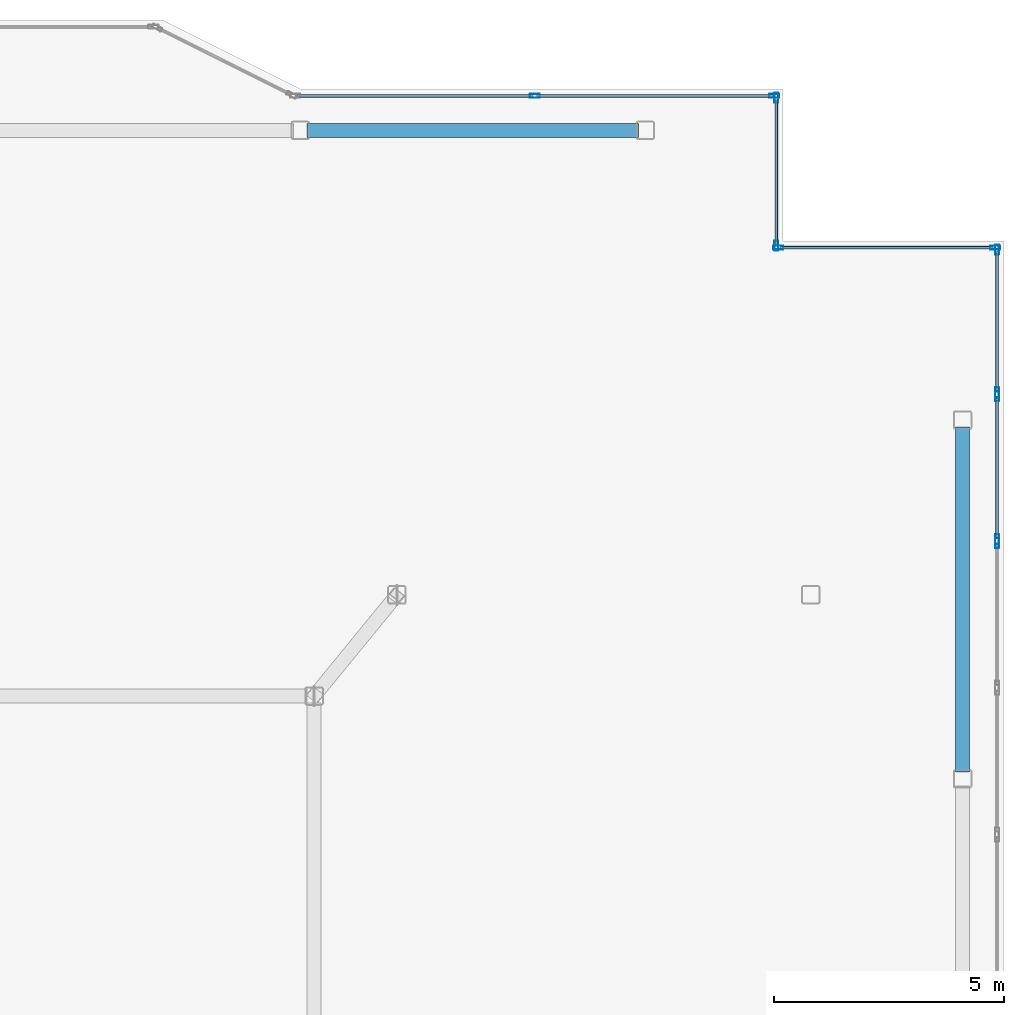
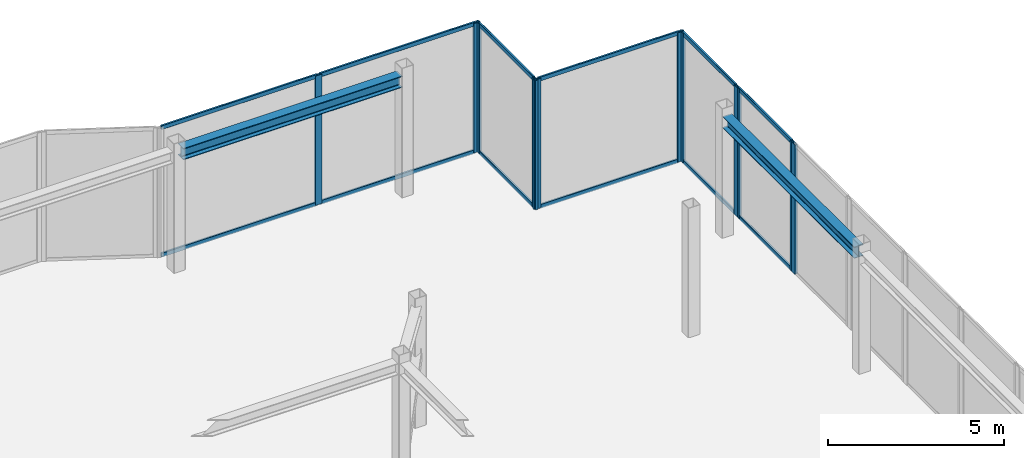
# One storey, part 12 of 16: 23 members, 2 beams, 6 elements without a shape of their own.
"""IFC4 building model written with IfcOpenShell, lengths in metres."""

from ifc_helpers import new_model, si_unit, direction, frame, origin, origin_2d, place, context, subcontext, project, spatial, hollow_rectangle, i_section, extrude, material, layer, layer_set, material_profile, profile_set, type_object, element, aggregate, save


model = new_model("IFC4")

# Units and contexts
model_context = context("Model", 3, precision=1e-05, world=origin(), true_north=direction((0.0, 1.0)))
body_context = subcontext(model_context, "Body", "Model", "MODEL_VIEW")
ifc_project = project(units=[si_unit("LENGTHUNIT", "METRE"), si_unit("AREAUNIT", "SQUARE_METRE"), si_unit("VOLUMEUNIT", "CUBIC_METRE"), si_unit("PLANEANGLEUNIT", "RADIAN"), si_unit("MASSUNIT", "GRAM", prefix="KILO")], contexts=[model_context])

# Site, building, storey
site_placement = place(None, origin())
site = spatial("IfcSite", under=ifc_project, at=site_placement, CompositionType="ELEMENT")
building_placement = place(site_placement, origin())
building = spatial("IfcBuilding", under=site, at=building_placement, Name="Tarnavaz Court Tower", CompositionType="ELEMENT")
storey_placement = place(building_placement, frame((0.0, 0.0, 290.550048828125)))
storey = spatial("IfcBuildingStorey", under=building, at=storey_placement, Name="C03", CompositionType="ELEMENT", Elevation=290.550048828125)

# Beams
ifc_material_1 = material(Name="Steel S355", Category="steel")
ifc_material_profile_1 = material_profile(ifc_material_1, i_section(OverallWidth=0.300048828125, OverallDepth=0.39990234375, WebThickness=0.013427734375, FlangeThickness=0.02392578125, FilletRadius=0.027099609375, at=origin_2d()), Name="HEB 400")
ifc_profile_set_1 = profile_set([ifc_material_profile_1], Name="Steel S355")
beam_type = type_object("IfcBeamType", Name="BM-G-HEB400", PredefinedType="USERDEFINED", material=ifc_profile_set_1)
beam_1_placement = place(storey_placement, frame((7.64990234375, 20.10009765625, 4.0), z_axis=(1.0, 0.0, 0.0), x_axis=(0.0, 1.0, 0.0)))
element("IfcBeam", 1, at=beam_1_placement, inside=storey, type_object=beam_type, Name="C03 Beam CRG-PN-3-PN-4", ObjectType="GIRDER", PredefinedType="USERDEFINED", context=body_context, shape_type="SweptSolid", body=[
    extrude(i_section(OverallWidth=0.300048828125, OverallDepth=0.39990234375, WebThickness=0.013427734375, FlangeThickness=0.02392578125, FilletRadius=0.027099609375, at=origin_2d()), origin(), (0.0, 0.0, 1.0), 7.2001953125),
])
beam_2_placement = place(storey_placement, frame((21.89990234375, 6.14990234375, 4.0), z_axis=(0.0, 1.0, 0.0), x_axis=(-1.0, 0.0, 0.0)))
element("IfcBeam", 2, at=beam_2_placement, inside=storey, type_object=beam_type, Name="C03 Beam CRG-PE-3-PE-4", ObjectType="GIRDER", PredefinedType="USERDEFINED", context=body_context, shape_type="SweptSolid", body=[
    extrude(i_section(OverallWidth=0.300048828125, OverallDepth=0.39990234375, WebThickness=0.013427734375, FlangeThickness=0.02392578125, FilletRadius=0.027099609375, at=origin_2d()), origin(), (0.0, 0.0, 1.0), 7.5),
])

# Curtain wall, members
ifc_material_2 = material(Name="Anodised Aluminium 6063-T6 and Solar Low-E Glazing", Category="aluminium")
ifc_layer = layer(ifc_material_2, 0.2099609375)
ifc_layer_set = layer_set([ifc_layer], Name="Anodised Aluminium 6063-T6 and Solar Low-E Glazing")
curtain_wall_type = type_object("IfcCurtainWallType", Name="CW-SYS-06", PredefinedType="NOTDEFINED", material=ifc_layer_set)
curtain_wall_1_placement = place(storey_placement, origin())
curtain_wall_1 = element("IfcCurtainWall", 3, at=curtain_wall_1_placement, inside=storey, type_object=curtain_wall_type, Name="C03 Slanted Crown Terracotta Curtain Wall 21", PredefinedType="NOTDEFINED")
ifc_material_3 = material(Name="Anodised Aluminium 6063-T6", Category="aluminium")
ifc_material_profile_2 = material_profile(ifc_material_3, hollow_rectangle(XDim=0.0849609375, YDim=0.219970703125, WallThickness=0.006103515625, InnerFilletRadius=0.006103515625, OuterFilletRadius=0.011962890625, at=origin_2d()), Name="ALU RHS 220X85X6")
ifc_profile_set_2 = profile_set([ifc_material_profile_2], Name="Anodised Aluminium 6063-T6")
member_type_1 = type_object("IfcMemberType", Name="CW-MUL-220", PredefinedType="MULLION", material=ifc_profile_set_2)
member_1_placement = place(storey_placement, frame((12.60009765625, 20.85009765625, 0.0), z_axis=(0.0, 0.0, 1.0), x_axis=(0.0, 1.0, 0.0)))
member_1 = element("IfcMember", 4, at=member_1_placement, type_object=member_type_1, Name="CW mullion 2", PredefinedType="MULLION", context=body_context, shape_type="SweptSolid", body=[
    extrude(hollow_rectangle(XDim=0.0849609375, YDim=0.219970703125, WallThickness=0.006103515625, InnerFilletRadius=0.006103515625, OuterFilletRadius=0.011962890625, at=origin_2d()), origin(), (0.0, 0.0, 1.0), 4.5),
])
member_2_placement = place(storey_placement, frame((17.8076171875, 20.85009765625, 0.0), z_axis=(0.0, 0.0, 1.0), x_axis=(0.0, 1.0, 0.0)))
member_2 = element("IfcMember", 5, at=member_2_placement, type_object=member_type_1, Name="CW mullion 3", PredefinedType="MULLION", context=body_context, shape_type="SweptSolid", body=[
    extrude(hollow_rectangle(XDim=0.0849609375, YDim=0.219970703125, WallThickness=0.006103515625, InnerFilletRadius=0.006103515625, OuterFilletRadius=0.011962890625, at=origin_2d()), origin(), (0.0, 0.0, 1.0), 4.5),
])

curtain_wall_2_placement = place(storey_placement, origin())
curtain_wall_2 = element("IfcCurtainWall", 6, at=curtain_wall_2_placement, inside=storey, type_object=curtain_wall_type, Name="C03 Slanted Crown Terracotta Curtain Wall 22", PredefinedType="NOTDEFINED")
member_3_placement = place(storey_placement, frame((17.85009765625, 20.8076171875, 0.0), z_axis=(0.0, 0.0, 1.0), x_axis=(1.0, 0.0, 0.0)))
member_3 = element("IfcMember", 7, at=member_3_placement, type_object=member_type_1, Name="CW mullion 1", PredefinedType="MULLION", context=body_context, shape_type="SweptSolid", body=[
    extrude(hollow_rectangle(XDim=0.0849609375, YDim=0.219970703125, WallThickness=0.006103515625, InnerFilletRadius=0.006103515625, OuterFilletRadius=0.011962890625, at=origin_2d()), origin(), (0.0, 0.0, 1.0), 4.5),
])
member_4_placement = place(storey_placement, frame((17.85009765625, 17.592529296875, 0.0), z_axis=(0.0, 0.0, 1.0), x_axis=(1.0, 0.0, 0.0)))
member_4 = element("IfcMember", 8, at=member_4_placement, type_object=member_type_1, Name="CW mullion 2", PredefinedType="MULLION", context=body_context, shape_type="SweptSolid", body=[
    extrude(hollow_rectangle(XDim=0.0849609375, YDim=0.219970703125, WallThickness=0.006103515625, InnerFilletRadius=0.006103515625, OuterFilletRadius=0.011962890625, at=origin_2d()), origin(), (0.0, 0.0, 1.0), 4.5),
])

curtain_wall_3_placement = place(storey_placement, origin())
curtain_wall_3 = element("IfcCurtainWall", 9, at=curtain_wall_3_placement, inside=storey, type_object=curtain_wall_type, Name="C03 Slanted Crown Terracotta Curtain Wall 23", PredefinedType="NOTDEFINED")
member_5_placement = place(storey_placement, frame((17.892578125, 17.550048828125, 0.0), z_axis=(0.0, 0.0, 1.0), x_axis=(0.0, 1.0, 0.0)))
member_5 = element("IfcMember", 10, at=member_5_placement, type_object=member_type_1, Name="CW mullion 1", PredefinedType="MULLION", context=body_context, shape_type="SweptSolid", body=[
    extrude(hollow_rectangle(XDim=0.0849609375, YDim=0.219970703125, WallThickness=0.006103515625, InnerFilletRadius=0.006103515625, OuterFilletRadius=0.011962890625, at=origin_2d()), origin(), (0.0, 0.0, 1.0), 4.5),
])
member_6_placement = place(storey_placement, frame((22.607421875, 17.550048828125, 0.0), z_axis=(0.0, 0.0, 1.0), x_axis=(0.0, 1.0, 0.0)))
member_6 = element("IfcMember", 11, at=member_6_placement, type_object=member_type_1, Name="CW mullion 2", PredefinedType="MULLION", context=body_context, shape_type="SweptSolid", body=[
    extrude(hollow_rectangle(XDim=0.0849609375, YDim=0.219970703125, WallThickness=0.006103515625, InnerFilletRadius=0.006103515625, OuterFilletRadius=0.011962890625, at=origin_2d()), origin(), (0.0, 0.0, 1.0), 4.5),
])

curtain_wall_4_placement = place(storey_placement, origin())
curtain_wall_4 = element("IfcCurtainWall", 12, at=curtain_wall_4_placement, inside=storey, type_object=curtain_wall_type, Name="C03 Slanted Crown Terracotta Curtain Wall 24", PredefinedType="NOTDEFINED")
member_7_placement = place(storey_placement, frame((22.64990234375, 17.507568359375, 0.0), z_axis=(0.0, 0.0, 1.0), x_axis=(1.0, 0.0, 0.0)))
member_7 = element("IfcMember", 13, at=member_7_placement, type_object=member_type_1, Name="CW mullion 1", PredefinedType="MULLION", context=body_context, shape_type="SweptSolid", body=[
    extrude(hollow_rectangle(XDim=0.0849609375, YDim=0.219970703125, WallThickness=0.006103515625, InnerFilletRadius=0.006103515625, OuterFilletRadius=0.011962890625, at=origin_2d()), origin(), (0.0, 0.0, 1.0), 4.5),
])
member_8_placement = place(storey_placement, frame((22.64990234375, 14.401611328125, 0.0), z_axis=(0.0, 0.0, 1.0), x_axis=(1.0, 0.0, 0.0)))
member_8 = element("IfcMember", 14, at=member_8_placement, type_object=member_type_1, Name="CW mullion 2", PredefinedType="MULLION", context=body_context, shape_type="SweptSolid", body=[
    extrude(hollow_rectangle(XDim=0.0849609375, YDim=0.219970703125, WallThickness=0.006103515625, InnerFilletRadius=0.006103515625, OuterFilletRadius=0.011962890625, at=origin_2d()), origin(), (0.0, 0.0, 1.0), 4.5),
])

curtain_wall_5_placement = place(storey_placement, origin())
curtain_wall_5 = element("IfcCurtainWall", 15, at=curtain_wall_5_placement, inside=storey, type_object=curtain_wall_type, Name="C03 Slanted Crown Terracotta Curtain Wall 25", PredefinedType="NOTDEFINED")
member_9_placement = place(storey_placement, frame((22.64990234375, 14.316650390625, 0.0), z_axis=(0.0, 0.0, 1.0), x_axis=(1.0, 0.0, 0.0)))
member_9 = element("IfcMember", 16, at=member_9_placement, type_object=member_type_1, Name="CW mullion 1", PredefinedType="MULLION", context=body_context, shape_type="SweptSolid", body=[
    extrude(hollow_rectangle(XDim=0.0849609375, YDim=0.219970703125, WallThickness=0.006103515625, InnerFilletRadius=0.006103515625, OuterFilletRadius=0.011962890625, at=origin_2d()), origin(), (0.0, 0.0, 1.0), 4.5),
])
member_10_placement = place(storey_placement, frame((22.64990234375, 11.210693359375, 0.0), z_axis=(0.0, 0.0, 1.0), x_axis=(1.0, 0.0, 0.0)))
member_10 = element("IfcMember", 17, at=member_10_placement, type_object=member_type_1, Name="CW mullion 2", PredefinedType="MULLION", context=body_context, shape_type="SweptSolid", body=[
    extrude(hollow_rectangle(XDim=0.0849609375, YDim=0.219970703125, WallThickness=0.006103515625, InnerFilletRadius=0.006103515625, OuterFilletRadius=0.011962890625, at=origin_2d()), origin(), (0.0, 0.0, 1.0), 4.5),
])

# Curtain wall, member
curtain_wall_6_placement = place(storey_placement, origin())
curtain_wall_6 = element("IfcCurtainWall", 18, at=curtain_wall_6_placement, inside=storey, type_object=curtain_wall_type, Name="C03 Slanted Crown Terracotta Curtain Wall 26", PredefinedType="NOTDEFINED")
member_11_placement = place(storey_placement, frame((22.64990234375, 11.125732421875, 0.0), z_axis=(0.0, 0.0, 1.0), x_axis=(1.0, 0.0, 0.0)))
member_11 = element("IfcMember", 19, at=member_11_placement, type_object=member_type_1, Name="CW mullion 1", PredefinedType="MULLION", context=body_context, shape_type="SweptSolid", body=[
    extrude(hollow_rectangle(XDim=0.0849609375, YDim=0.219970703125, WallThickness=0.006103515625, InnerFilletRadius=0.006103515625, OuterFilletRadius=0.011962890625, at=origin_2d()), origin(), (0.0, 0.0, 1.0), 4.5),
])
aggregate(curtain_wall_6, [member_11])

# Member
ifc_material_profile_3 = material_profile(ifc_material_3, hollow_rectangle(XDim=0.06494140625, YDim=0.139892578125, WallThickness=0.00390625, InnerFilletRadius=0.00390625, OuterFilletRadius=0.008056640625, at=origin_2d()), Name="ALU RHS 140X65X4")
ifc_profile_set_3 = profile_set([ifc_material_profile_3], Name="Anodised Aluminium 6063-T6")
member_type_2 = type_object("IfcMemberType", Name="CW-TRN-140", PredefinedType="USERDEFINED", material=ifc_profile_set_3)
member_12_placement = place(storey_placement, frame((7.43505859375, 20.85009765625, 0.032470703125), z_axis=(1.0, 0.0, 0.0), x_axis=(0.0, 1.0, 0.0)))
member_12 = element("IfcMember", 20, at=member_12_placement, type_object=member_type_2, Name="CW transom 1.1", ObjectType="TRANSOM", PredefinedType="USERDEFINED", context=body_context, shape_type="SweptSolid", body=[
    extrude(hollow_rectangle(XDim=0.06494140625, YDim=0.139892578125, WallThickness=0.00390625, InnerFilletRadius=0.00390625, OuterFilletRadius=0.008056640625, at=origin_2d()), origin(), (0.0, 0.0, 1.0), 5.12255859375),
])

member_13_placement = place(storey_placement, frame((7.43505859375, 20.85009765625, 4.467529296875), z_axis=(1.0, 0.0, 0.0), x_axis=(0.0, 1.0, 0.0)))
member_13 = element("IfcMember", 21, at=member_13_placement, type_object=member_type_2, Name="CW transom 1.2", ObjectType="TRANSOM", PredefinedType="USERDEFINED", context=body_context, shape_type="SweptSolid", body=[
    extrude(hollow_rectangle(XDim=0.06494140625, YDim=0.139892578125, WallThickness=0.00390625, InnerFilletRadius=0.00390625, OuterFilletRadius=0.008056640625, at=origin_2d()), origin(), (0.0, 0.0, 1.0), 5.12255859375),
])

member_14_placement = place(storey_placement, frame((12.642578125, 20.85009765625, 0.032470703125), z_axis=(1.0, 0.0, 0.0), x_axis=(0.0, 1.0, 0.0)))
member_14 = element("IfcMember", 22, at=member_14_placement, type_object=member_type_2, Name="CW transom 2.1", ObjectType="TRANSOM", PredefinedType="USERDEFINED", context=body_context, shape_type="SweptSolid", body=[
    extrude(hollow_rectangle(XDim=0.06494140625, YDim=0.139892578125, WallThickness=0.00390625, InnerFilletRadius=0.00390625, OuterFilletRadius=0.008056640625, at=origin_2d()), origin(), (0.0, 0.0, 1.0), 5.122314453125),
])

member_15_placement = place(storey_placement, frame((12.642578125, 20.85009765625, 4.467529296875), z_axis=(1.0, 0.0, 0.0), x_axis=(0.0, 1.0, 0.0)))
member_15 = element("IfcMember", 23, at=member_15_placement, type_object=member_type_2, Name="CW transom 2.2", ObjectType="TRANSOM", PredefinedType="USERDEFINED", context=body_context, shape_type="SweptSolid", body=[
    extrude(hollow_rectangle(XDim=0.06494140625, YDim=0.139892578125, WallThickness=0.00390625, InnerFilletRadius=0.00390625, OuterFilletRadius=0.008056640625, at=origin_2d()), origin(), (0.0, 0.0, 1.0), 5.122314453125),
])

aggregate(curtain_wall_1, [member_1, member_2, member_12, member_13, member_14, member_15])

member_16_placement = place(storey_placement, frame((17.85009765625, 20.764892578125, 0.032470703125), z_axis=(0.0, -1.0, 0.0), x_axis=(1.0, 0.0, 0.0)))
member_16 = element("IfcMember", 24, at=member_16_placement, type_object=member_type_2, Name="CW transom 1.1", ObjectType="TRANSOM", PredefinedType="USERDEFINED", context=body_context, shape_type="SweptSolid", body=[
    extrude(hollow_rectangle(XDim=0.06494140625, YDim=0.139892578125, WallThickness=0.00390625, InnerFilletRadius=0.00390625, OuterFilletRadius=0.008056640625, at=origin_2d()), origin(), (0.0, 0.0, 1.0), 3.1298828125),
])

member_17_placement = place(storey_placement, frame((17.85009765625, 20.764892578125, 4.467529296875), z_axis=(0.0, -1.0, 0.0), x_axis=(1.0, 0.0, 0.0)))
member_17 = element("IfcMember", 25, at=member_17_placement, type_object=member_type_2, Name="CW transom 1.2", ObjectType="TRANSOM", PredefinedType="USERDEFINED", context=body_context, shape_type="SweptSolid", body=[
    extrude(hollow_rectangle(XDim=0.06494140625, YDim=0.139892578125, WallThickness=0.00390625, InnerFilletRadius=0.00390625, OuterFilletRadius=0.008056640625, at=origin_2d()), origin(), (0.0, 0.0, 1.0), 3.1298828125),
])

aggregate(curtain_wall_2, [member_3, member_4, member_16, member_17])

member_18_placement = place(storey_placement, frame((17.93505859375, 17.550048828125, 0.032470703125), z_axis=(1.0, 0.0, 0.0), x_axis=(0.0, 1.0, 0.0)))
member_18 = element("IfcMember", 26, at=member_18_placement, type_object=member_type_2, Name="CW transom 1.1", ObjectType="TRANSOM", PredefinedType="USERDEFINED", context=body_context, shape_type="SweptSolid", body=[
    extrude(hollow_rectangle(XDim=0.06494140625, YDim=0.139892578125, WallThickness=0.00390625, InnerFilletRadius=0.00390625, OuterFilletRadius=0.008056640625, at=origin_2d()), origin(), (0.0, 0.0, 1.0), 4.6298828125),
])

member_19_placement = place(storey_placement, frame((17.93505859375, 17.550048828125, 4.467529296875), z_axis=(1.0, 0.0, 0.0), x_axis=(0.0, 1.0, 0.0)))
member_19 = element("IfcMember", 27, at=member_19_placement, type_object=member_type_2, Name="CW transom 1.2", ObjectType="TRANSOM", PredefinedType="USERDEFINED", context=body_context, shape_type="SweptSolid", body=[
    extrude(hollow_rectangle(XDim=0.06494140625, YDim=0.139892578125, WallThickness=0.00390625, InnerFilletRadius=0.00390625, OuterFilletRadius=0.008056640625, at=origin_2d()), origin(), (0.0, 0.0, 1.0), 4.6298828125),
])

aggregate(curtain_wall_3, [member_5, member_6, member_18, member_19])

member_20_placement = place(storey_placement, frame((22.64990234375, 17.465087890625, 0.032470703125), z_axis=(0.0, -1.0, 0.0), x_axis=(1.0, 0.0, 0.0)))
member_20 = element("IfcMember", 28, at=member_20_placement, type_object=member_type_2, Name="CW transom 1.1", ObjectType="TRANSOM", PredefinedType="USERDEFINED", context=body_context, shape_type="SweptSolid", body=[
    extrude(hollow_rectangle(XDim=0.06494140625, YDim=0.139892578125, WallThickness=0.00390625, InnerFilletRadius=0.00390625, OuterFilletRadius=0.008056640625, at=origin_2d()), origin(), (0.0, 0.0, 1.0), 3.02099609375),
])

member_21_placement = place(storey_placement, frame((22.64990234375, 17.465087890625, 4.467529296875), z_axis=(0.0, -1.0, 0.0), x_axis=(1.0, 0.0, 0.0)))
member_21 = element("IfcMember", 29, at=member_21_placement, type_object=member_type_2, Name="CW transom 1.2", ObjectType="TRANSOM", PredefinedType="USERDEFINED", context=body_context, shape_type="SweptSolid", body=[
    extrude(hollow_rectangle(XDim=0.06494140625, YDim=0.139892578125, WallThickness=0.00390625, InnerFilletRadius=0.00390625, OuterFilletRadius=0.008056640625, at=origin_2d()), origin(), (0.0, 0.0, 1.0), 3.02099609375),
])

aggregate(curtain_wall_4, [member_7, member_8, member_20, member_21])

member_22_placement = place(storey_placement, frame((22.64990234375, 14.274169921875, 0.032470703125), z_axis=(0.0, -1.0, 0.0), x_axis=(1.0, 0.0, 0.0)))
member_22 = element("IfcMember", 30, at=member_22_placement, type_object=member_type_2, Name="CW transom 1.1", ObjectType="TRANSOM", PredefinedType="USERDEFINED", context=body_context, shape_type="SweptSolid", body=[
    extrude(hollow_rectangle(XDim=0.06494140625, YDim=0.139892578125, WallThickness=0.00390625, InnerFilletRadius=0.00390625, OuterFilletRadius=0.008056640625, at=origin_2d()), origin(), (0.0, 0.0, 1.0), 3.02099609375),
])

member_23_placement = place(storey_placement, frame((22.64990234375, 14.274169921875, 4.467529296875), z_axis=(0.0, -1.0, 0.0), x_axis=(1.0, 0.0, 0.0)))
member_23 = element("IfcMember", 31, at=member_23_placement, type_object=member_type_2, Name="CW transom 1.2", ObjectType="TRANSOM", PredefinedType="USERDEFINED", context=body_context, shape_type="SweptSolid", body=[
    extrude(hollow_rectangle(XDim=0.06494140625, YDim=0.139892578125, WallThickness=0.00390625, InnerFilletRadius=0.00390625, OuterFilletRadius=0.008056640625, at=origin_2d()), origin(), (0.0, 0.0, 1.0), 3.02099609375),
])

aggregate(curtain_wall_5, [member_9, member_10, member_22, member_23])

save(model, "model.ifc")
